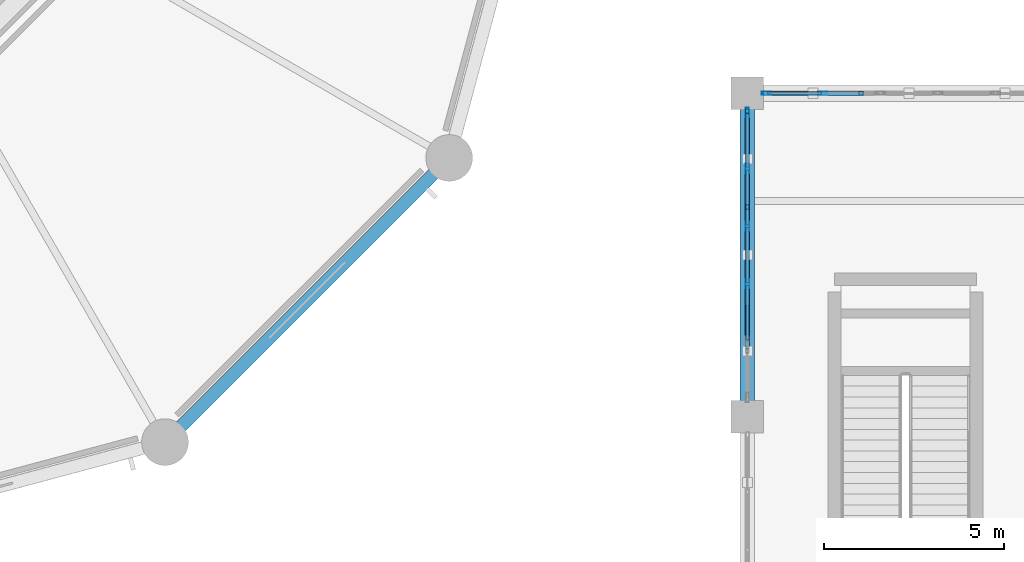
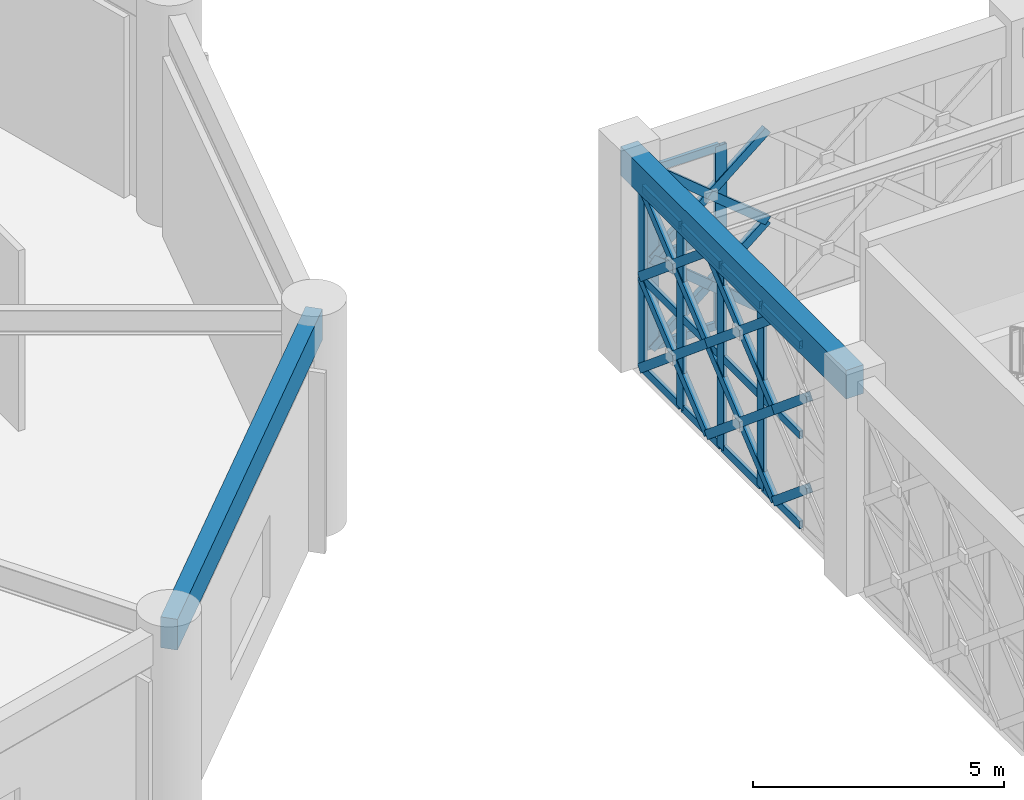
# One storey, part 57 of 155: 41 members, 2 beams, 2 elements without a shape of their own.
"""IFC4 building model written with IfcOpenShell, lengths in metres."""

from ifc_helpers import new_model, si_unit, direction, frame, origin, origin_2d, place, context, subcontext, project, spatial, rectangle, hollow_rectangle, extrude, material, material_profile, profile_set, type_object, element, aggregate, save


model = new_model("IFC4")

# Units and contexts
model_context = context("Model", 3, precision=1e-05, world=origin(), true_north=direction((0.0, 1.0)))
body_context = subcontext(model_context, "Body", "Model", "MODEL_VIEW")
ifc_project = project(units=[si_unit("LENGTHUNIT", "METRE"), si_unit("AREAUNIT", "SQUARE_METRE"), si_unit("VOLUMEUNIT", "CUBIC_METRE"), si_unit("PLANEANGLEUNIT", "RADIAN"), si_unit("MASSUNIT", "GRAM", prefix="KILO")], contexts=[model_context])

# Site, building, storey
site_placement = place(None, origin())
site = spatial("IfcSite", under=ifc_project, at=site_placement, CompositionType="ELEMENT")
building_placement = place(site_placement, origin())
building = spatial("IfcBuilding", under=site, at=building_placement, Name="Haizhuo Lancet Aquarium", CompositionType="ELEMENT")
storey_placement = place(building_placement, frame((0.0, 0.0, 10.800048828125)))
storey = spatial("IfcBuildingStorey", under=building, at=storey_placement, Name="L02", CompositionType="ELEMENT", Elevation=10.800048828125)

# Beam
ifc_material_1 = material(Name="Concrete C40/50", Category="concrete")
ifc_material_profile_1 = material_profile(ifc_material_1, rectangle(XDim=0.39990234375, YDim=0.699951171875, at=origin_2d()), Name="RC-BM 400x700")
ifc_profile_set_1 = profile_set([ifc_material_profile_1], Name="Concrete C40/50")
beam_type_1 = type_object("IfcBeamType", Name="BM-RC-400x700", PredefinedType="BEAM", material=ifc_profile_set_1)
beam_1_placement = place(storey_placement, frame((27.0, -18.0, 4.81005859375), z_axis=(0.0, 1.0, 0.0), x_axis=(-1.0, 0.0, 0.0)))
element("IfcBeam", 1, at=beam_1_placement, inside=storey, type_object=beam_type_1, Name="L02 V3 primary girder BM-L02-V3-005", PredefinedType="BEAM", context=body_context, shape_type="SweptSolid", body=[
    extrude(rectangle(XDim=0.39990234375, YDim=0.699951171875, at=origin_2d()), origin(), (0.0, 0.0, 1.0), 9.0),
])

# Curtain wall, members
ifc_material_2 = material(Name="Aluminium 6063-T6", Category="aluminium")
curtain_wall_type_1 = type_object("IfcCurtainWallType", Name="CWO-8010x4410", PredefinedType="NOTDEFINED", material=ifc_material_2)
curtain_wall_1_placement = place(storey_placement, origin())
curtain_wall_1 = element("IfcCurtainWall", 2, at=curtain_wall_1_placement, inside=storey, type_object=curtain_wall_type_1, Name="L02 curtain wall CW-V3-L02-051", PredefinedType="NOTDEFINED")
ifc_material_profile_2 = material_profile(ifc_material_2, hollow_rectangle(XDim=0.080078125, YDim=0.260009765625, WallThickness=0.0048828125, at=origin_2d()), Name="ALU-M 80x260x5")
ifc_profile_set_2 = profile_set([ifc_material_profile_2], Name="Aluminium 6063-T6")
member_type_1 = type_object("IfcMemberType", Name="CW-MUL-3", PredefinedType="MULLION", material=ifc_profile_set_2)
member_1_placement = place(storey_placement, frame((27.534912109375, -9.0, 0.0), z_axis=(0.0, 0.0, 1.0), x_axis=(0.0, 1.0, 0.0)))
member_1 = element("IfcMember", 3, at=member_1_placement, type_object=member_type_1, Name="CWO-80x44 mullion 1", PredefinedType="MULLION", context=body_context, shape_type="SweptSolid", body=[
    extrude(hollow_rectangle(XDim=0.080078125, YDim=0.260009765625, WallThickness=0.0048828125, at=origin_2d()), origin(), (0.0, 0.0, 1.0), 4.409912109375),
])
member_2_placement = place(storey_placement, frame((29.096923828125, -9.0, 0.0), z_axis=(0.0, 0.0, 1.0), x_axis=(0.0, 1.0, 0.0)))
member_2 = element("IfcMember", 4, at=member_2_placement, type_object=member_type_1, Name="CWO-80x44 mullion 2", PredefinedType="MULLION", context=body_context, shape_type="SweptSolid", body=[
    extrude(hollow_rectangle(XDim=0.080078125, YDim=0.260009765625, WallThickness=0.0048828125, at=origin_2d()), origin(), (0.0, 0.0, 1.0), 4.409912109375),
])

curtain_wall_type_2 = type_object("IfcCurtainWallType", Name="CWO-8010x4460", PredefinedType="NOTDEFINED", material=ifc_material_2)
curtain_wall_2_placement = place(storey_placement, origin())
curtain_wall_2 = element("IfcCurtainWall", 5, at=curtain_wall_2_placement, inside=storey, type_object=curtain_wall_type_2, Name="L02 curtain wall CW-V3-L02-066", PredefinedType="NOTDEFINED")
member_3_placement = place(storey_placement, frame((27.0, -14.301025390625, 0.0), z_axis=(0.0, 0.0, 1.0), x_axis=(-1.0, 0.0, 0.0)))
member_3 = element("IfcMember", 6, at=member_3_placement, type_object=member_type_1, Name="CWO-80x44 mullion 3", PredefinedType="MULLION", context=body_context, shape_type="SweptSolid", body=[
    extrude(hollow_rectangle(XDim=0.080078125, YDim=0.260009765625, WallThickness=0.0048828125, at=origin_2d()), origin(), (0.0, 0.0, 1.0), 4.4599609375),
])
member_4_placement = place(storey_placement, frame((27.0, -12.698974609375, 0.0), z_axis=(0.0, 0.0, 1.0), x_axis=(-1.0, 0.0, 0.0)))
member_4 = element("IfcMember", 7, at=member_4_placement, type_object=member_type_1, Name="CWO-80x44 mullion 4", PredefinedType="MULLION", context=body_context, shape_type="SweptSolid", body=[
    extrude(hollow_rectangle(XDim=0.080078125, YDim=0.260009765625, WallThickness=0.0048828125, at=origin_2d()), origin(), (0.0, 0.0, 1.0), 4.4599609375),
])
member_5_placement = place(storey_placement, frame((27.0, -11.096923828125, 0.0), z_axis=(0.0, 0.0, 1.0), x_axis=(-1.0, 0.0, 0.0)))
member_5 = element("IfcMember", 8, at=member_5_placement, type_object=member_type_1, Name="CWO-80x44 mullion 5", PredefinedType="MULLION", context=body_context, shape_type="SweptSolid", body=[
    extrude(hollow_rectangle(XDim=0.080078125, YDim=0.260009765625, WallThickness=0.0048828125, at=origin_2d()), origin(), (0.0, 0.0, 1.0), 4.4599609375),
])
member_6_placement = place(storey_placement, frame((27.0, -9.534912109375, 0.0), z_axis=(0.0, 0.0, 1.0), x_axis=(-1.0, 0.0, 0.0)))
member_6 = element("IfcMember", 9, at=member_6_placement, type_object=member_type_1, Name="CWO-80x44 mullion 6", PredefinedType="MULLION", context=body_context, shape_type="SweptSolid", body=[
    extrude(hollow_rectangle(XDim=0.080078125, YDim=0.260009765625, WallThickness=0.0048828125, at=origin_2d()), origin(), (0.0, 0.0, 1.0), 4.4599609375),
])

# Member
ifc_material_profile_3 = material_profile(ifc_material_2, hollow_rectangle(XDim=0.080078125, YDim=0.18994140625, WallThickness=0.0048828125, at=origin_2d()), Name="ALU-T 80x190x5")
ifc_profile_set_3 = profile_set([ifc_material_profile_3], Name="Aluminium 6063-T6")
member_type_2 = type_object("IfcMemberType", Name="CW-TRN-3", PredefinedType="NOTDEFINED", material=ifc_profile_set_3)
member_7_placement = place(storey_placement, frame((27.574951171875, -9.0, 0.0400390625), z_axis=(1.0, 0.0, 0.0), x_axis=(0.0, 1.0, 0.0)))
member_7 = element("IfcMember", 10, at=member_7_placement, type_object=member_type_2, Name="CWO-80x44 transom 1.1", ObjectType="TRANSOM", PredefinedType="USERDEFINED", context=body_context, shape_type="SweptSolid", body=[
    extrude(hollow_rectangle(XDim=0.080078125, YDim=0.18994140625, WallThickness=0.0048828125, at=origin_2d()), origin(), (0.0, 0.0, 1.0), 1.48193359375),
])

member_8_placement = place(storey_placement, frame((27.574951171875, -9.0, 2.204833984375), z_axis=(1.0, 0.0, 0.0), x_axis=(0.0, 1.0, 0.0)))
member_8 = element("IfcMember", 11, at=member_8_placement, type_object=member_type_2, Name="CWO-80x44 transom 1.2", ObjectType="TRANSOM", PredefinedType="USERDEFINED", context=body_context, shape_type="SweptSolid", body=[
    extrude(hollow_rectangle(XDim=0.080078125, YDim=0.18994140625, WallThickness=0.0048828125, at=origin_2d()), origin(), (0.0, 0.0, 1.0), 1.48193359375),
])

member_9_placement = place(storey_placement, frame((27.574951171875, -9.0, 4.369873046875), z_axis=(1.0, 0.0, 0.0), x_axis=(0.0, 1.0, 0.0)))
member_9 = element("IfcMember", 12, at=member_9_placement, type_object=member_type_2, Name="CWO-80x44 transom 1.3", ObjectType="TRANSOM", PredefinedType="USERDEFINED", context=body_context, shape_type="SweptSolid", body=[
    extrude(hollow_rectangle(XDim=0.080078125, YDim=0.18994140625, WallThickness=0.0048828125, at=origin_2d()), origin(), (0.0, 0.0, 1.0), 1.48193359375),
])

aggregate(curtain_wall_1, [member_1, member_2, member_7, member_8, member_9])

member_10_placement = place(storey_placement, frame((27.0, -15.863037109375, 0.0400390625), z_axis=(0.0, 1.0, 0.0), x_axis=(-1.0, 0.0, 0.0)))
member_10 = element("IfcMember", 13, at=member_10_placement, type_object=member_type_2, Name="CWO-80x44 transom 2.1", ObjectType="TRANSOM", PredefinedType="USERDEFINED", context=body_context, shape_type="SweptSolid", body=[
    extrude(hollow_rectangle(XDim=0.080078125, YDim=0.18994140625, WallThickness=0.0048828125, at=origin_2d()), origin(), (0.0, 0.0, 1.0), 1.52197265625),
])

member_11_placement = place(storey_placement, frame((27.0, -15.863037109375, 2.22998046875), z_axis=(0.0, 1.0, 0.0), x_axis=(-1.0, 0.0, 0.0)))
member_11 = element("IfcMember", 14, at=member_11_placement, type_object=member_type_2, Name="CWO-80x44 transom 2.2", ObjectType="TRANSOM", PredefinedType="USERDEFINED", context=body_context, shape_type="SweptSolid", body=[
    extrude(hollow_rectangle(XDim=0.080078125, YDim=0.18994140625, WallThickness=0.0048828125, at=origin_2d()), origin(), (0.0, 0.0, 1.0), 1.52197265625),
])

member_12_placement = place(storey_placement, frame((27.0, -15.863037109375, 4.419921875), z_axis=(0.0, 1.0, 0.0), x_axis=(-1.0, 0.0, 0.0)))
member_12 = element("IfcMember", 15, at=member_12_placement, type_object=member_type_2, Name="CWO-80x44 transom 2.3", ObjectType="TRANSOM", PredefinedType="USERDEFINED", context=body_context, shape_type="SweptSolid", body=[
    extrude(hollow_rectangle(XDim=0.080078125, YDim=0.18994140625, WallThickness=0.0048828125, at=origin_2d()), origin(), (0.0, 0.0, 1.0), 1.52197265625),
])

member_13_placement = place(storey_placement, frame((27.0, -14.260986328125, 0.0400390625), z_axis=(0.0, 1.0, 0.0), x_axis=(-1.0, 0.0, 0.0)))
member_13 = element("IfcMember", 16, at=member_13_placement, type_object=member_type_2, Name="CWO-80x44 transom 3.1", ObjectType="TRANSOM", PredefinedType="USERDEFINED", context=body_context, shape_type="SweptSolid", body=[
    extrude(hollow_rectangle(XDim=0.080078125, YDim=0.18994140625, WallThickness=0.0048828125, at=origin_2d()), origin(), (0.0, 0.0, 1.0), 1.52197265625),
])

member_14_placement = place(storey_placement, frame((27.0, -14.260986328125, 2.22998046875), z_axis=(0.0, 1.0, 0.0), x_axis=(-1.0, 0.0, 0.0)))
member_14 = element("IfcMember", 17, at=member_14_placement, type_object=member_type_2, Name="CWO-80x44 transom 3.2", ObjectType="TRANSOM", PredefinedType="USERDEFINED", context=body_context, shape_type="SweptSolid", body=[
    extrude(hollow_rectangle(XDim=0.080078125, YDim=0.18994140625, WallThickness=0.0048828125, at=origin_2d()), origin(), (0.0, 0.0, 1.0), 1.52197265625),
])

member_15_placement = place(storey_placement, frame((27.0, -14.260986328125, 4.419921875), z_axis=(0.0, 1.0, 0.0), x_axis=(-1.0, 0.0, 0.0)))
member_15 = element("IfcMember", 18, at=member_15_placement, type_object=member_type_2, Name="CWO-80x44 transom 3.3", ObjectType="TRANSOM", PredefinedType="USERDEFINED", context=body_context, shape_type="SweptSolid", body=[
    extrude(hollow_rectangle(XDim=0.080078125, YDim=0.18994140625, WallThickness=0.0048828125, at=origin_2d()), origin(), (0.0, 0.0, 1.0), 1.52197265625),
])

member_16_placement = place(storey_placement, frame((27.0, -12.658935546875, 0.0400390625), z_axis=(0.0, 1.0, 0.0), x_axis=(-1.0, 0.0, 0.0)))
member_16 = element("IfcMember", 19, at=member_16_placement, type_object=member_type_2, Name="CWO-80x44 transom 4.1", ObjectType="TRANSOM", PredefinedType="USERDEFINED", context=body_context, shape_type="SweptSolid", body=[
    extrude(hollow_rectangle(XDim=0.080078125, YDim=0.18994140625, WallThickness=0.0048828125, at=origin_2d()), origin(), (0.0, 0.0, 1.0), 1.52197265625),
])

member_17_placement = place(storey_placement, frame((27.0, -12.658935546875, 2.22998046875), z_axis=(0.0, 1.0, 0.0), x_axis=(-1.0, 0.0, 0.0)))
member_17 = element("IfcMember", 20, at=member_17_placement, type_object=member_type_2, Name="CWO-80x44 transom 4.2", ObjectType="TRANSOM", PredefinedType="USERDEFINED", context=body_context, shape_type="SweptSolid", body=[
    extrude(hollow_rectangle(XDim=0.080078125, YDim=0.18994140625, WallThickness=0.0048828125, at=origin_2d()), origin(), (0.0, 0.0, 1.0), 1.52197265625),
])

member_18_placement = place(storey_placement, frame((27.0, -12.658935546875, 4.419921875), z_axis=(0.0, 1.0, 0.0), x_axis=(-1.0, 0.0, 0.0)))
member_18 = element("IfcMember", 21, at=member_18_placement, type_object=member_type_2, Name="CWO-80x44 transom 4.3", ObjectType="TRANSOM", PredefinedType="USERDEFINED", context=body_context, shape_type="SweptSolid", body=[
    extrude(hollow_rectangle(XDim=0.080078125, YDim=0.18994140625, WallThickness=0.0048828125, at=origin_2d()), origin(), (0.0, 0.0, 1.0), 1.52197265625),
])

member_19_placement = place(storey_placement, frame((27.0, -11.056884765625, 0.0400390625), z_axis=(0.0, 1.0, 0.0), x_axis=(-1.0, 0.0, 0.0)))
member_19 = element("IfcMember", 22, at=member_19_placement, type_object=member_type_2, Name="CWO-80x44 transom 5.1", ObjectType="TRANSOM", PredefinedType="USERDEFINED", context=body_context, shape_type="SweptSolid", body=[
    extrude(hollow_rectangle(XDim=0.080078125, YDim=0.18994140625, WallThickness=0.0048828125, at=origin_2d()), origin(), (0.0, 0.0, 1.0), 1.48193359375),
])

member_20_placement = place(storey_placement, frame((27.0, -11.056884765625, 2.22998046875), z_axis=(0.0, 1.0, 0.0), x_axis=(-1.0, 0.0, 0.0)))
member_20 = element("IfcMember", 23, at=member_20_placement, type_object=member_type_2, Name="CWO-80x44 transom 5.2", ObjectType="TRANSOM", PredefinedType="USERDEFINED", context=body_context, shape_type="SweptSolid", body=[
    extrude(hollow_rectangle(XDim=0.080078125, YDim=0.18994140625, WallThickness=0.0048828125, at=origin_2d()), origin(), (0.0, 0.0, 1.0), 1.48193359375),
])

member_21_placement = place(storey_placement, frame((27.0, -11.056884765625, 4.419921875), z_axis=(0.0, 1.0, 0.0), x_axis=(-1.0, 0.0, 0.0)))
member_21 = element("IfcMember", 24, at=member_21_placement, type_object=member_type_2, Name="CWO-80x44 transom 5.3", ObjectType="TRANSOM", PredefinedType="USERDEFINED", context=body_context, shape_type="SweptSolid", body=[
    extrude(hollow_rectangle(XDim=0.080078125, YDim=0.18994140625, WallThickness=0.0048828125, at=origin_2d()), origin(), (0.0, 0.0, 1.0), 1.48193359375),
])

aggregate(curtain_wall_2, [member_3, member_4, member_5, member_6, member_10, member_11, member_12, member_13, member_14, member_15, member_16, member_17, member_18, member_19, member_20, member_21])

# Members
ifc_material_3 = material(Name="Steel S355", Category="steel")
ifc_material_profile_4 = material_profile(ifc_material_3, hollow_rectangle(XDim=0.1201171875, YDim=0.199951171875, WallThickness=0.008056640625, at=origin_2d()), Name="RHS 120x200x8")
ifc_profile_set_4 = profile_set([ifc_material_profile_4], Name="Steel S355")
member_type_3 = type_object("IfcMemberType", Name="MEM-LB-RHS120x200", PredefinedType="BRACE", material=ifc_profile_set_4)
member_22_placement = place(storey_placement, frame((27.4951171875, -9.0, 0.0), z_axis=(0.771068610934, 0.0, 0.636752068887), x_axis=(0.0, 1.0, 0.0)))
element("IfcMember", 25, at=member_22_placement, inside=storey, type_object=member_type_3, Name="Gothic lancet continuous diagonal brace CW-V3-L02-051 1A", PredefinedType="BRACE", context=body_context, shape_type="SweptSolid", body=[
    extrude(hollow_rectangle(XDim=0.1201171875, YDim=0.199951171875, WallThickness=0.008056640625, at=origin_2d()), origin(), (0.0, 0.0, 1.0), 3.462646484375),
])
member_23_placement = place(storey_placement, frame((30.1650390625, -9.0, 0.0), z_axis=(-0.771172467693, 0.0, 0.63662628368), x_axis=(0.0, -1.0, 0.0)))
element("IfcMember", 26, at=member_23_placement, inside=storey, type_object=member_type_3, Name="Gothic lancet split diagonal brace CW-V3-L02-051 1B1", PredefinedType="BRACE", context=body_context, shape_type="SweptSolid", body=[
    extrude(hollow_rectangle(XDim=0.1201171875, YDim=0.199951171875, WallThickness=0.008056640625, at=origin_2d()), origin(), (0.0, 0.0, 1.0), 1.731201171875),
])
member_24_placement = place(storey_placement, frame((28.830078125, -9.0, 1.10205078125), z_axis=(-0.77096476164, 0.0, 0.636877803279), x_axis=(0.0, -1.0, 0.0)))
element("IfcMember", 27, at=member_24_placement, inside=storey, type_object=member_type_3, Name="Gothic lancet split diagonal brace CW-V3-L02-051 1B2", PredefinedType="BRACE", context=body_context, shape_type="SweptSolid", body=[
    extrude(hollow_rectangle(XDim=0.1201171875, YDim=0.199951171875, WallThickness=0.008056640625, at=origin_2d()), origin(), (0.0, 0.0, 1.0), 1.7314453125),
])
member_25_placement = place(storey_placement, frame((27.4951171875, -9.0, 2.204833984375), z_axis=(0.771033993673, 0.0, 0.636793985996), x_axis=(0.0, 1.0, 0.0)))
element("IfcMember", 28, at=member_25_placement, inside=storey, type_object=member_type_3, Name="Gothic lancet continuous diagonal brace CW-V3-L02-051 2A", PredefinedType="BRACE", context=body_context, shape_type="SweptSolid", body=[
    extrude(hollow_rectangle(XDim=0.1201171875, YDim=0.199951171875, WallThickness=0.008056640625, at=origin_2d()), origin(), (0.0, 0.0, 1.0), 3.462890625),
])
member_26_placement = place(storey_placement, frame((30.1650390625, -9.0, 2.204833984375), z_axis=(-0.770895532931, 0.0, 0.636961597985), x_axis=(0.0, -1.0, 0.0)))
element("IfcMember", 29, at=member_26_placement, inside=storey, type_object=member_type_3, Name="Gothic lancet split diagonal brace CW-V3-L02-051 2B1", PredefinedType="BRACE", context=body_context, shape_type="SweptSolid", body=[
    extrude(hollow_rectangle(XDim=0.1201171875, YDim=0.199951171875, WallThickness=0.008056640625, at=origin_2d()), origin(), (0.0, 0.0, 1.0), 1.731689453125),
])
member_27_placement = place(storey_placement, frame((28.830078125, -9.0, 3.307861328125), z_axis=(-0.771172467693, 0.0, 0.63662628368), x_axis=(0.0, -1.0, 0.0)))
element("IfcMember", 30, at=member_27_placement, inside=storey, type_object=member_type_3, Name="Gothic lancet split diagonal brace CW-V3-L02-051 2B2", PredefinedType="BRACE", context=body_context, shape_type="SweptSolid", body=[
    extrude(hollow_rectangle(XDim=0.1201171875, YDim=0.199951171875, WallThickness=0.008056640625, at=origin_2d()), origin(), (0.0, 0.0, 1.0), 1.731201171875),
])
for number, where, z_axis, x_axis, name in (
    (31, (27.0, -14.8349609375, 0.0), (0.0, -0.767507480131, 0.641039989348), (1.0, 0.0, 0.0), "Gothic lancet split diagonal brace CW-V3-L02-066 1B1"),
    (32, (27.0, -14.8349609375, 2.22998046875), (0.0, -0.767507480131, 0.641039989348), (1.0, 0.0, 0.0), "Gothic lancet split diagonal brace CW-V3-L02-066 2B1"),
):
    element("IfcMember", number, at=place(storey_placement, frame(where, z_axis=z_axis, x_axis=x_axis)), inside=storey, type_object=member_type_3, Name=name, PredefinedType="BRACE", context=body_context, shape_type="SweptSolid", body=[
        extrude(hollow_rectangle(XDim=0.1201171875, YDim=0.199951171875, WallThickness=0.008056640625, at=origin_2d()), origin(), (0.0, 0.0, 1.0), 1.7392578125),
    ])
member_28_placement = place(storey_placement, frame((27.0, -14.8349609375, 0.0), z_axis=(0.0, 0.767507480131, 0.641039989348), x_axis=(-1.0, 0.0, 0.0)))
element("IfcMember", 33, at=member_28_placement, inside=storey, type_object=member_type_3, Name="Gothic lancet continuous diagonal brace CW-V3-L02-066 3A", PredefinedType="BRACE", context=body_context, shape_type="SweptSolid", body=[
    extrude(hollow_rectangle(XDim=0.1201171875, YDim=0.199951171875, WallThickness=0.008056640625, at=origin_2d()), origin(), (0.0, 0.0, 1.0), 3.478759765625),
])
for number, where, z_axis, x_axis, name in (
    (34, (27.0, -12.1650390625, 0.0), (0.0, -0.767507480131, 0.641039989348), (1.0, 0.0, 0.0), "Gothic lancet split diagonal brace CW-V3-L02-066 3B1"),
    (35, (27.0, -13.5, 1.114990234375), (0.0, -0.767507480131, 0.641039989348), (1.0, 0.0, 0.0), "Gothic lancet split diagonal brace CW-V3-L02-066 3B2"),
):
    element("IfcMember", number, at=place(storey_placement, frame(where, z_axis=z_axis, x_axis=x_axis)), inside=storey, type_object=member_type_3, Name=name, PredefinedType="BRACE", context=body_context, shape_type="SweptSolid", body=[
        extrude(hollow_rectangle(XDim=0.1201171875, YDim=0.199951171875, WallThickness=0.008056640625, at=origin_2d()), origin(), (0.0, 0.0, 1.0), 1.7392578125),
    ])
member_29_placement = place(storey_placement, frame((27.0, -14.8349609375, 2.22998046875), z_axis=(0.0, 0.767507480131, 0.641039989348), x_axis=(-1.0, 0.0, 0.0)))
element("IfcMember", 36, at=member_29_placement, inside=storey, type_object=member_type_3, Name="Gothic lancet continuous diagonal brace CW-V3-L02-066 4A", PredefinedType="BRACE", context=body_context, shape_type="SweptSolid", body=[
    extrude(hollow_rectangle(XDim=0.1201171875, YDim=0.199951171875, WallThickness=0.008056640625, at=origin_2d()), origin(), (0.0, 0.0, 1.0), 3.478759765625),
])
for number, where, z_axis, x_axis, name in (
    (37, (27.0, -12.1650390625, 2.22998046875), (0.0, -0.767507480131, 0.641039989348), (1.0, 0.0, 0.0), "Gothic lancet split diagonal brace CW-V3-L02-066 4B1"),
    (38, (27.0, -13.5, 3.344970703125), (0.0, -0.767507480131, 0.641039989348), (1.0, 0.0, 0.0), "Gothic lancet split diagonal brace CW-V3-L02-066 4B2"),
):
    element("IfcMember", number, at=place(storey_placement, frame(where, z_axis=z_axis, x_axis=x_axis)), inside=storey, type_object=member_type_3, Name=name, PredefinedType="BRACE", context=body_context, shape_type="SweptSolid", body=[
        extrude(hollow_rectangle(XDim=0.1201171875, YDim=0.199951171875, WallThickness=0.008056640625, at=origin_2d()), origin(), (0.0, 0.0, 1.0), 1.7392578125),
    ])
member_30_placement = place(storey_placement, frame((27.0, -12.1650390625, 0.0), z_axis=(0.0, 0.767507480131, 0.641039989348), x_axis=(-1.0, 0.0, 0.0)))
element("IfcMember", 39, at=member_30_placement, inside=storey, type_object=member_type_3, Name="Gothic lancet continuous diagonal brace CW-V3-L02-066 5A", PredefinedType="BRACE", context=body_context, shape_type="SweptSolid", body=[
    extrude(hollow_rectangle(XDim=0.1201171875, YDim=0.199951171875, WallThickness=0.008056640625, at=origin_2d()), origin(), (0.0, 0.0, 1.0), 3.478759765625),
])
for number, where, z_axis, x_axis, name in (
    (40, (27.0, -9.4951171875, 0.0), (0.0, -0.767507480131, 0.641039989348), (1.0, 0.0, 0.0), "Gothic lancet split diagonal brace CW-V3-L02-066 5B1"),
    (41, (27.0, -10.830078125, 1.114990234375), (0.0, -0.767507480131, 0.641039989348), (1.0, 0.0, 0.0), "Gothic lancet split diagonal brace CW-V3-L02-066 5B2"),
):
    element("IfcMember", number, at=place(storey_placement, frame(where, z_axis=z_axis, x_axis=x_axis)), inside=storey, type_object=member_type_3, Name=name, PredefinedType="BRACE", context=body_context, shape_type="SweptSolid", body=[
        extrude(hollow_rectangle(XDim=0.1201171875, YDim=0.199951171875, WallThickness=0.008056640625, at=origin_2d()), origin(), (0.0, 0.0, 1.0), 1.7392578125),
    ])
member_31_placement = place(storey_placement, frame((27.0, -12.1650390625, 2.22998046875), z_axis=(0.0, 0.767507480131, 0.641039989348), x_axis=(-1.0, 0.0, 0.0)))
element("IfcMember", 42, at=member_31_placement, inside=storey, type_object=member_type_3, Name="Gothic lancet continuous diagonal brace CW-V3-L02-066 6A", PredefinedType="BRACE", context=body_context, shape_type="SweptSolid", body=[
    extrude(hollow_rectangle(XDim=0.1201171875, YDim=0.199951171875, WallThickness=0.008056640625, at=origin_2d()), origin(), (0.0, 0.0, 1.0), 3.478759765625),
])
for number, where, z_axis, x_axis, name in (
    (43, (27.0, -9.4951171875, 2.22998046875), (0.0, -0.767507480131, 0.641039989348), (1.0, 0.0, 0.0), "Gothic lancet split diagonal brace CW-V3-L02-066 6B1"),
    (44, (27.0, -10.830078125, 3.344970703125), (0.0, -0.767507480131, 0.641039989348), (1.0, 0.0, 0.0), "Gothic lancet split diagonal brace CW-V3-L02-066 6B2"),
):
    element("IfcMember", number, at=place(storey_placement, frame(where, z_axis=z_axis, x_axis=x_axis)), inside=storey, type_object=member_type_3, Name=name, PredefinedType="BRACE", context=body_context, shape_type="SweptSolid", body=[
        extrude(hollow_rectangle(XDim=0.1201171875, YDim=0.199951171875, WallThickness=0.008056640625, at=origin_2d()), origin(), (0.0, 0.0, 1.0), 1.7392578125),
    ])

# Beam
ifc_material_profile_5 = material_profile(ifc_material_1, rectangle(XDim=0.35009765625, YDim=0.75, at=origin_2d()), Name="RC-SP 350x750")
ifc_profile_set_5 = profile_set([ifc_material_profile_5], Name="Concrete C40/50")
beam_type_2 = type_object("IfcBeamType", Name="SPN-RC-350x750", PredefinedType="SPANDREL", material=ifc_profile_set_5)
beam_2_placement = place(storey_placement, frame((10.800048828125, -18.7060546875, 4.784912109375), z_axis=(0.707106781187, 0.707106781187, 0.0), x_axis=(-0.707106781187, 0.707106781187, 0.0)))
element("IfcBeam", 45, at=beam_2_placement, inside=storey, type_object=beam_type_2, Name="L02 drum perimeter spandrel 11", PredefinedType="SPANDREL", context=body_context, shape_type="SweptSolid", body=[
    extrude(rectangle(XDim=0.35009765625, YDim=0.75, at=origin_2d()), origin(), (0.0, 0.0, 1.0), 11.1806640625),
])

save(model, "model.ifc")
